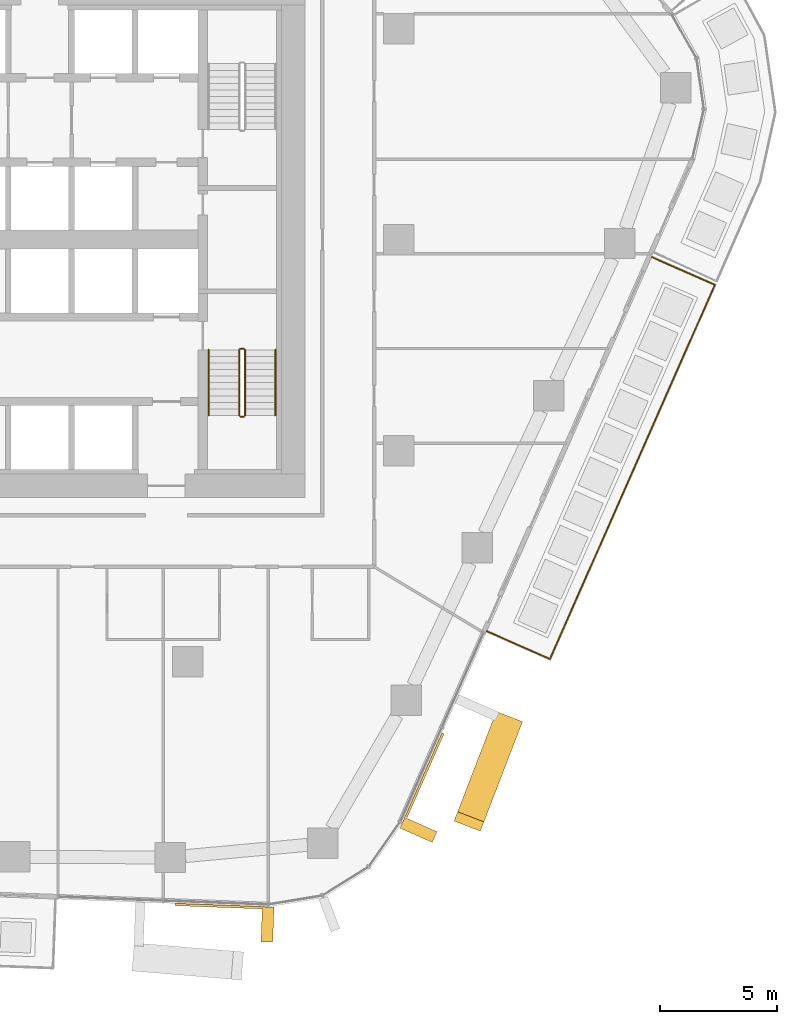
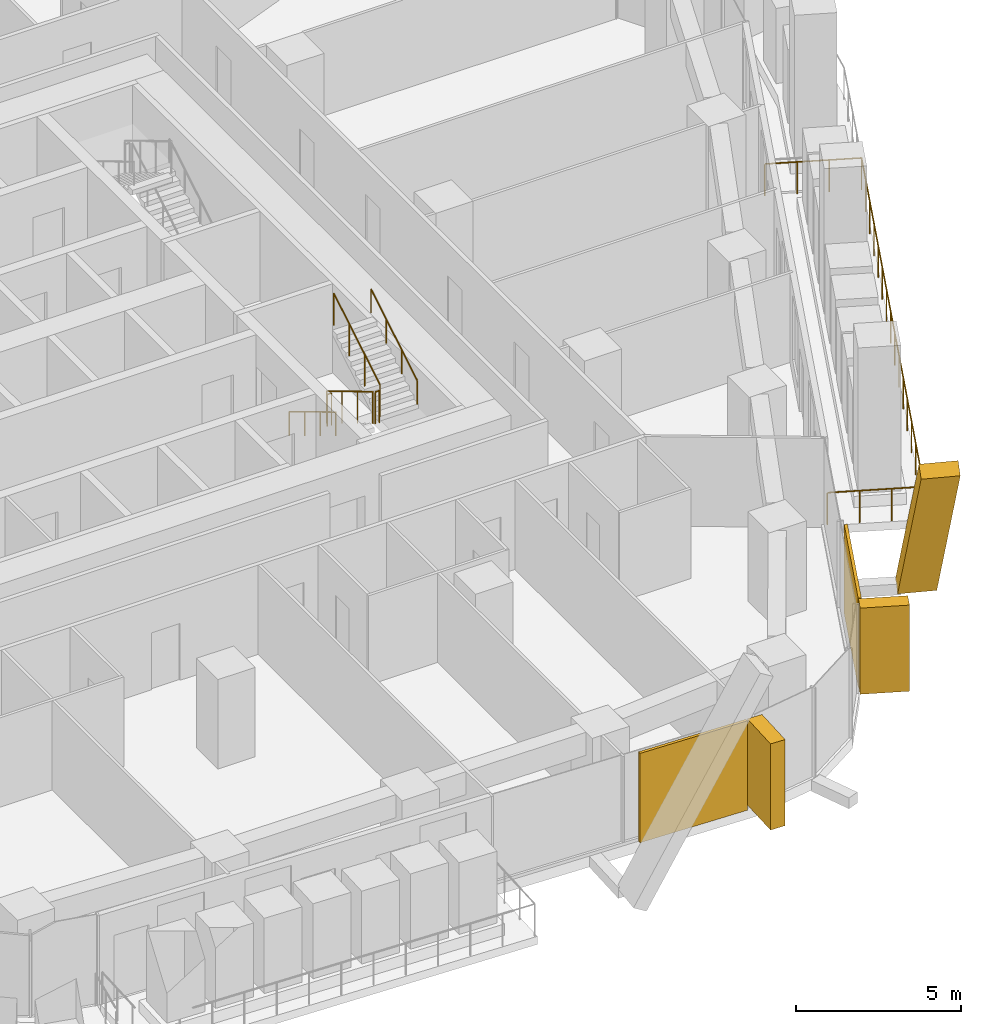
# One storey, part 21 of 24: 7 railings, 5 coverings, 2 elements without a shape of their own.
"""IFC4 building model written with IfcOpenShell, lengths in metres."""

from ifc_helpers import new_model, si_unit, direction, frame, origin, origin_2d, place, context, subcontext, project, spatial, rectangle, circle, extrude, material, layer, layer_set, material_profile, profile_set, type_object, element, aggregate, save


model = new_model("IFC4")

# Units and contexts
model_context = context("Model", 3, precision=1e-05, world=origin(), true_north=direction((0.0, 1.0)))
body_context = subcontext(model_context, "Body", "Model", "MODEL_VIEW")
ifc_project = project(units=[si_unit("LENGTHUNIT", "METRE"), si_unit("AREAUNIT", "SQUARE_METRE"), si_unit("VOLUMEUNIT", "CUBIC_METRE"), si_unit("PLANEANGLEUNIT", "RADIAN"), si_unit("MASSUNIT", "GRAM", prefix="KILO")], contexts=[model_context])

# Site, building, storey
site_placement = place(None, origin())
site = spatial("IfcSite", under=ifc_project, at=site_placement, CompositionType="ELEMENT")
building_placement = place(site_placement, origin())
building = spatial("IfcBuilding", under=site, at=building_placement, Name="Dongbaek Canopy Tower", CompositionType="ELEMENT")
storey_placement = place(building_placement, frame((0.0, 0.0, 113.699951171875)))
storey = spatial("IfcBuildingStorey", under=building, at=storey_placement, Name="L24", CompositionType="ELEMENT", Elevation=113.699951171875)

# Railing
ifc_material_1 = material(Name="Stainless steel", Category="steel")
railing_type_1 = type_object("IfcRailingType", Name="Balcony balustrade 1200", PredefinedType="BALUSTRADE", material=ifc_material_1)
railing_1_placement = place(storey_placement, frame((21.762451171875, -16.699462890625, 0.0)))
element("IfcRailing", 1, at=railing_1_placement, inside=storey, type_object=railing_type_1, Name="Balcony guard L24 5", PredefinedType="BALUSTRADE", context=body_context, shape_type="SweptSolid", body=[
    extrude(circle(Radius=0.02392578125, at=origin_2d()), frame((0.0, 0.0, 1.17578125), z_axis=(0.915080991886, -0.403270105871, 0.0), x_axis=(0.403270105871, 0.915080991886, 0.0)), (0.0, 0.0, 1.0), 2.93994140625),
    extrude(circle(Radius=0.02392578125, at=origin_2d()), frame((2.690185546875, -1.185546875, 1.17578125), z_axis=(0.403288921508, 0.915072699729, 0.0), x_axis=(-0.915072699729, 0.403288921508, 0.0)), (0.0, 0.0, 1.0), 17.437255859375),
    extrude(circle(Radius=0.02392578125, at=origin_2d()), frame((9.722412109375, 14.770751953125, 1.17578125), z_axis=(-0.915050344332, 0.403339642656, 0.0), x_axis=(-0.403339642656, -0.915050344332, 0.0)), (0.0, 0.0, 1.0), 2.93994140625),
    extrude(circle(Radius=0.02099609375, at=origin_2d()), origin(), (0.0, 0.0, 1.0), 1.15185546875),
    extrude(circle(Radius=0.02099609375, at=origin_2d()), frame((0.896728515625, -0.395263671875, 0.0)), (0.0, 0.0, 1.0), 1.15185546875),
    extrude(circle(Radius=0.02099609375, at=origin_2d()), frame((1.79345703125, -0.790283203125, 0.0)), (0.0, 0.0, 1.0), 1.15185546875),
    extrude(circle(Radius=0.02099609375, at=origin_2d()), frame((2.690185546875, -1.185546875, 0.0)), (0.0, 0.0, 1.0), 1.15185546875),
    extrude(circle(Radius=0.02099609375, at=origin_2d()), frame((3.158935546875, -0.121826171875, 0.0)), (0.0, 0.0, 1.0), 1.15185546875),
    extrude(circle(Radius=0.02099609375, at=origin_2d()), frame((3.6279296875, 0.94189453125, 0.0)), (0.0, 0.0, 1.0), 1.15185546875),
    extrude(circle(Radius=0.02099609375, at=origin_2d()), frame((4.0966796875, 2.005615234375, 0.0)), (0.0, 0.0, 1.0), 1.15185546875),
    extrude(circle(Radius=0.02099609375, at=origin_2d()), frame((4.5654296875, 3.069580078125, 0.0)), (0.0, 0.0, 1.0), 1.15185546875),
    extrude(circle(Radius=0.02099609375, at=origin_2d()), frame((5.0341796875, 4.13330078125, 0.0)), (0.0, 0.0, 1.0), 1.15185546875),
    extrude(circle(Radius=0.02099609375, at=origin_2d()), frame((5.503173828125, 5.197021484375, 0.0)), (0.0, 0.0, 1.0), 1.15185546875),
    extrude(circle(Radius=0.02099609375, at=origin_2d()), frame((5.971923828125, 6.2607421875, 0.0)), (0.0, 0.0, 1.0), 1.15185546875),
    extrude(circle(Radius=0.02099609375, at=origin_2d()), frame((6.440673828125, 7.324462890625, 0.0)), (0.0, 0.0, 1.0), 1.15185546875),
    extrude(circle(Radius=0.02099609375, at=origin_2d()), frame((6.909423828125, 8.38818359375, 0.0)), (0.0, 0.0, 1.0), 1.15185546875),
    extrude(circle(Radius=0.02099609375, at=origin_2d()), frame((7.37841796875, 9.451904296875, 0.0)), (0.0, 0.0, 1.0), 1.15185546875),
    extrude(circle(Radius=0.02099609375, at=origin_2d()), frame((7.84716796875, 10.515625, 0.0)), (0.0, 0.0, 1.0), 1.15185546875),
    extrude(circle(Radius=0.02099609375, at=origin_2d()), frame((8.31591796875, 11.57958984375, 0.0)), (0.0, 0.0, 1.0), 1.15185546875),
    extrude(circle(Radius=0.02099609375, at=origin_2d()), frame((8.78466796875, 12.643310546875, 0.0)), (0.0, 0.0, 1.0), 1.15185546875),
    extrude(circle(Radius=0.02099609375, at=origin_2d()), frame((9.253662109375, 13.70703125, 0.0)), (0.0, 0.0, 1.0), 1.15185546875),
    extrude(circle(Radius=0.02099609375, at=origin_2d()), frame((9.722412109375, 14.770751953125, 0.0)), (0.0, 0.0, 1.0), 1.15185546875),
    extrude(circle(Radius=0.02099609375, at=origin_2d()), frame((8.82568359375, 15.166015625, 0.0)), (0.0, 0.0, 1.0), 1.15185546875),
    extrude(circle(Radius=0.02099609375, at=origin_2d()), frame((7.928955078125, 15.561279296875, 0.0)), (0.0, 0.0, 1.0), 1.15185546875),
    extrude(circle(Radius=0.02099609375, at=origin_2d()), frame((7.0322265625, 15.95654296875, 0.0)), (0.0, 0.0, 1.0), 1.15185546875),
])

# Curtain wall, covering
ifc_material_2 = material(Name="Aluminium 6063-T6 pale anodised", Category="aluminium")
ifc_layer_1 = layer(ifc_material_2, 0.199951171875)
ifc_layer_set_1 = layer_set([ifc_layer_1], Name="CW-1 unitised tower curtain wall")
curtain_wall_type = type_object("IfcCurtainWallType", Name="CW-1 unitised tower curtain wall", PredefinedType="NOTDEFINED", material=ifc_layer_set_1)
curtain_wall_1_placement = place(storey_placement, origin())
curtain_wall_1 = element("IfcCurtainWall", 2, at=curtain_wall_1_placement, inside=storey, type_object=curtain_wall_type, Name="CW-1 curtain wall F5.1", PredefinedType="NOTDEFINED")
ifc_material_3 = material(Name="Aluminium 6063-T6 pale metal fin", Category="aluminium")
ifc_material_profile_1 = material_profile(ifc_material_3, rectangle(XDim=1.199951171875, YDim=0.5, at=origin_2d()), Name="Crease fin CF1 500 x 1200 pale metal")
ifc_profile_set_1 = profile_set([ifc_material_profile_1], Name="Aluminium 6063-T6 pale metal fin")
covering_type_1 = type_object("IfcCoveringType", Name="Crease fin CF1 500 x 1200 pale metal", PredefinedType="CLADDING", material=ifc_profile_set_1)
covering_1_placement = place(storey_placement, frame((22.646240234375, -20.53857421875, -0.199951171875), z_axis=(-0.18914482382, -0.491069563355, 0.850338120731), x_axis=(0.933172371225, -0.359429166293, 0.0)))
covering_1 = element("IfcCovering", 3, at=covering_1_placement, type_object=covering_type_1, Name="Crease fin L24 L26 F5", PredefinedType="CLADDING", context=body_context, shape_type="SweptSolid", body=[
    extrude(rectangle(XDim=1.199951171875, YDim=0.5, at=origin_2d()), origin(), (0.0, 0.0, 1.0), 8.702392578125),
])

curtain_wall_2_placement = place(storey_placement, origin())
curtain_wall_2 = element("IfcCurtainWall", 4, at=curtain_wall_2_placement, inside=storey, type_object=curtain_wall_type, Name="CW-1 curtain wall F4.1", PredefinedType="NOTDEFINED")
ifc_material_4 = material(Name="Perforated aluminium 6063-T6 pale metal screen", Category="aluminium")
ifc_layer_2 = layer(ifc_material_4, 0.10009765625)
ifc_layer_set_2 = layer_set([ifc_layer_2], Name="Facet screen FS1 100 pale metal")
covering_type_2 = type_object("IfcCoveringType", Name="Facet screen FS1 100 pale metal", PredefinedType="CLADDING", material=ifc_layer_set_2)
covering_2_placement = place(storey_placement, frame((10.302490234375, -28.422119140625, 0.0), z_axis=(0.0, 0.0, 1.0), x_axis=(0.999319989509, -0.036872192324, 0.0)))
covering_2 = element("IfcCovering", 5, at=covering_2_placement, type_object=covering_type_2, Name="Facet screen L24 F4", PredefinedType="CLADDING", context=body_context, shape_type="SweptSolid", body=[
    extrude(rectangle(XDim=3.686279296875, YDim=0.10009765625, at=origin_2d()), origin(), (0.0, 0.0, 1.0), 3.300048828125),
])

# Covering
covering_3_placement = place(storey_placement, frame((19.1083984375, -22.835693359375, 0.0), z_axis=(0.0, 0.0, 1.0), x_axis=(0.403288178578, 0.915073027151, 0.0)))
covering_3 = element("IfcCovering", 6, at=covering_3_placement, type_object=covering_type_2, Name="Facet screen L24 F5", PredefinedType="CLADDING", context=body_context, shape_type="SweptSolid", body=[
    extrude(rectangle(XDim=3.906494140625, YDim=0.10009765625, at=origin_2d()), origin(), (0.0, 0.0, 1.0), 3.300048828125),
])

ifc_material_5 = material(Name="Aluminium 6063-T6 pale metal fin", Category="aluminium")
ifc_material_profile_2 = material_profile(ifc_material_5, rectangle(XDim=1.5, YDim=0.5, at=origin_2d()), Name="Fin FN1 500 x 1500 pale metal")
ifc_profile_set_2 = profile_set([ifc_material_profile_2], Name="Aluminium 6063-T6 pale metal fin")
covering_type_3 = type_object("IfcCoveringType", Name="Fin FN1 500 x 1500 pale metal", PredefinedType="CLADDING", material=ifc_profile_set_2)
covering_4_placement = place(storey_placement, frame((12.408203125, -29.2041015625, 0.1201171875), z_axis=(0.0, 0.0, 1.0), x_axis=(-0.036872652499, -0.99931997253, 0.0)))
covering_4 = element("IfcCovering", 7, at=covering_4_placement, type_object=covering_type_3, Name="Fin F4.1.3", PredefinedType="CLADDING", context=body_context, shape_type="SweptSolid", body=[
    extrude(rectangle(XDim=1.5, YDim=0.5, at=origin_2d()), origin(), (0.0, 0.0, 1.0), 3.179931640625),
])

aggregate(curtain_wall_2, [covering_4, covering_2])

covering_5_placement = place(storey_placement, frame((18.847900390625, -25.17236328125, 0.1201171875), z_axis=(0.0, 0.0, 1.0), x_axis=(0.915072764797, -0.403288773867, 0.0)))
covering_5 = element("IfcCovering", 8, at=covering_5_placement, type_object=covering_type_3, Name="Fin F5.1.1", PredefinedType="CLADDING", context=body_context, shape_type="SweptSolid", body=[
    extrude(rectangle(XDim=1.5, YDim=0.5, at=origin_2d()), origin(), (0.0, 0.0, 1.0), 3.179931640625),
])

aggregate(curtain_wall_1, [covering_5, covering_1, covering_3])

# Railings
ifc_material_6 = material(Name="Stainless steel tube and balusters", Category="steel")
railing_type_2 = type_object("IfcRailingType", Name="Stair guard 1200", PredefinedType="GUARDRAIL", material=ifc_material_6)
railing_2_placement = place(storey_placement, frame((11.199951171875, -4.699951171875, 0.168212890625)))
element("IfcRailing", 9, at=railing_2_placement, inside=storey, type_object=railing_type_2, Name="L24 ST-B stair guard 1", PredefinedType="GUARDRAIL", context=body_context, shape_type="SweptSolid", body=[
    extrude(circle(Radius=0.02392578125, at=origin_2d()), frame((0.0, 0.0, 1.17578125), z_axis=(0.0, -0.857242210791, 0.514913383045), x_axis=(1.0, 0.0, 0.0)), (0.0, 0.0, 1.0), 3.266357421875),
    extrude(circle(Radius=0.02099609375, at=origin_2d()), origin(), (0.0, 0.0, 1.0), 1.15185546875),
    extrude(circle(Radius=0.02099609375, at=origin_2d()), frame((0.0, -0.933349609375, 0.560546875)), (0.0, 0.0, 1.0), 1.15185546875),
    extrude(circle(Radius=0.02099609375, at=origin_2d()), frame((0.0, -1.86669921875, 1.121337890625)), (0.0, 0.0, 1.0), 1.15185546875),
    extrude(circle(Radius=0.02099609375, at=origin_2d()), frame((0.0, -2.800048828125, 1.681884765625)), (0.0, 0.0, 1.0), 1.15185546875),
])
railing_3_placement = place(storey_placement, frame((11.25, -7.550048828125, 1.85009765625)))
element("IfcRailing", 10, at=railing_3_placement, inside=storey, type_object=railing_type_2, Name="L24 ST-B stair guard 2", PredefinedType="GUARDRAIL", context=body_context, shape_type="SweptSolid", body=[
    extrude(circle(Radius=0.02392578125, at=origin_2d()), frame((0.0, 0.0, 1.17578125), z_axis=(1.0, 0.0, 0.0), x_axis=(0.0, 1.0, 0.0)), (0.0, 0.0, 1.0), 0.14990234375),
    extrude(circle(Radius=0.02099609375, at=origin_2d()), origin(), (0.0, 0.0, 1.0), 1.15185546875),
    extrude(circle(Radius=0.02099609375, at=origin_2d()), frame((0.14990234375, 0.0, 0.0)), (0.0, 0.0, 1.0), 1.15185546875),
])
railing_4_placement = place(storey_placement, frame((11.449951171875, -7.5, 2.018310546875)))
element("IfcRailing", 11, at=railing_4_placement, inside=storey, type_object=railing_type_2, Name="L24 ST-B stair guard 3", PredefinedType="GUARDRAIL", context=body_context, shape_type="SweptSolid", body=[
    extrude(circle(Radius=0.02392578125, at=origin_2d()), frame((0.0, 0.0, 1.17578125), z_axis=(0.0, 0.857275202839, 0.514858452973), x_axis=(-1.0, 0.0, 0.0)), (0.0, 0.0, 1.0), 3.26611328125),
    extrude(circle(Radius=0.02099609375, at=origin_2d()), origin(), (0.0, 0.0, 1.0), 1.15185546875),
    extrude(circle(Radius=0.02099609375, at=origin_2d()), frame((0.0, 0.933349609375, 0.560546875)), (0.0, 0.0, 1.0), 1.15185546875),
    extrude(circle(Radius=0.02099609375, at=origin_2d()), frame((0.0, 1.86669921875, 1.12109375)), (0.0, 0.0, 1.0), 1.15185546875),
    extrude(circle(Radius=0.02099609375, at=origin_2d()), frame((0.0, 2.800048828125, 1.681640625)), (0.0, 0.0, 1.0), 1.15185546875),
])
railing_5_placement = place(storey_placement, frame((11.25, -4.64990234375, 0.0)))
element("IfcRailing", 12, at=railing_5_placement, inside=storey, type_object=railing_type_2, Name="L24 ST-B stair guard 4", PredefinedType="GUARDRAIL", context=body_context, shape_type="SweptSolid", body=[
    extrude(circle(Radius=0.02392578125, at=origin_2d()), frame((0.0, 0.0, 1.17578125), z_axis=(1.0, 0.0, 0.0), x_axis=(0.0, 1.0, 0.0)), (0.0, 0.0, 1.0), 0.14990234375),
    extrude(circle(Radius=0.02099609375, at=origin_2d()), origin(), (0.0, 0.0, 1.0), 1.15185546875),
    extrude(circle(Radius=0.02099609375, at=origin_2d()), frame((0.14990234375, 0.0, 0.0)), (0.0, 0.0, 1.0), 1.15185546875),
])
ifc_material_7 = material(Name="Stainless steel tube", Category="steel")
railing_type_3 = type_object("IfcRailingType", Name="Stair handrail 900", PredefinedType="HANDRAIL", material=ifc_material_7)
railing_6_placement = place(storey_placement, frame((9.89990234375, -4.699951171875, 0.168212890625)))
element("IfcRailing", 13, at=railing_6_placement, inside=storey, type_object=railing_type_3, Name="L24 ST-B stair handrail 1", PredefinedType="HANDRAIL", context=body_context, shape_type="SweptSolid", body=[
    extrude(circle(Radius=0.02392578125, at=origin_2d()), frame((0.0, 0.0, 0.8759765625), z_axis=(0.0, -0.857242210791, 0.514913383045), x_axis=(1.0, 0.0, 0.0)), (0.0, 0.0, 1.0), 3.266357421875),
    extrude(circle(Radius=0.02099609375, at=origin_2d()), origin(), (0.0, 0.0, 1.0), 0.851806640625),
    extrude(circle(Radius=0.02099609375, at=origin_2d()), frame((0.0, -0.933349609375, 0.560546875)), (0.0, 0.0, 1.0), 0.851806640625),
    extrude(circle(Radius=0.02099609375, at=origin_2d()), frame((0.0, -1.86669921875, 1.121337890625)), (0.0, 0.0, 1.0), 0.851806640625),
    extrude(circle(Radius=0.02099609375, at=origin_2d()), frame((0.0, -2.800048828125, 1.681884765625)), (0.0, 0.0, 1.0), 0.851806640625),
])
railing_7_placement = place(storey_placement, frame((12.75, -7.5, 2.018310546875)))
element("IfcRailing", 14, at=railing_7_placement, inside=storey, type_object=railing_type_3, Name="L24 ST-B stair handrail 2", PredefinedType="HANDRAIL", context=body_context, shape_type="SweptSolid", body=[
    extrude(circle(Radius=0.02392578125, at=origin_2d()), frame((0.0, 0.0, 0.8759765625), z_axis=(0.0, 0.857275202839, 0.514858452973), x_axis=(-1.0, 0.0, 0.0)), (0.0, 0.0, 1.0), 3.26611328125),
    extrude(circle(Radius=0.02099609375, at=origin_2d()), origin(), (0.0, 0.0, 1.0), 0.851806640625),
    extrude(circle(Radius=0.02099609375, at=origin_2d()), frame((0.0, 0.933349609375, 0.560546875)), (0.0, 0.0, 1.0), 0.851806640625),
    extrude(circle(Radius=0.02099609375, at=origin_2d()), frame((0.0, 1.86669921875, 1.12109375)), (0.0, 0.0, 1.0), 0.851806640625),
    extrude(circle(Radius=0.02099609375, at=origin_2d()), frame((0.0, 2.800048828125, 1.681640625)), (0.0, 0.0, 1.0), 0.851806640625),
])

save(model, "model.ifc")
